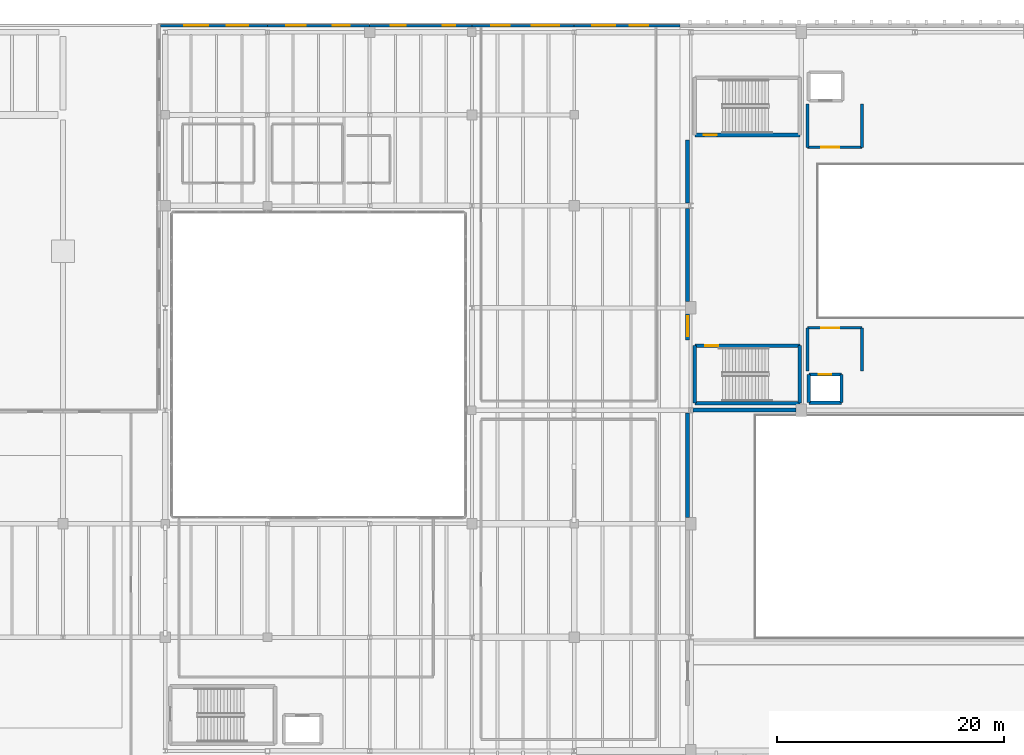
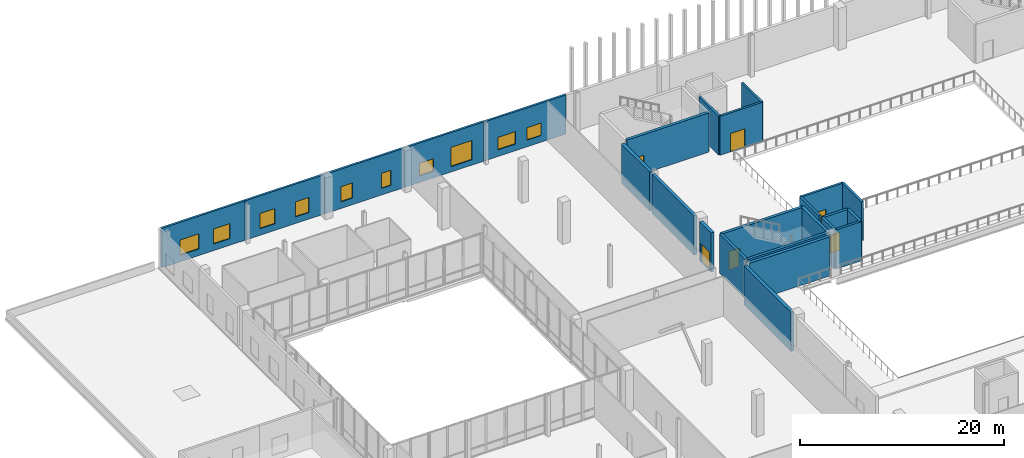
# One storey, part 45 of 60: 25 walls, 10 windows, 6 doors, 16 openings.
"""IFC4 building model written with IfcOpenShell, lengths in metres."""

from ifc_helpers import new_model, si_unit, direction, frame, frame_2d, origin, place, context, subcontext, project, spatial, rectangle, extrude, material, layer, layer_set, type_object, element, fill, save


model = new_model("IFC4")

# Units and contexts
model_context = context("Model", 3, precision=1e-05, world=origin(), true_north=direction((0.0, 1.0)))
body_context = subcontext(model_context, "Body", "Model", "MODEL_VIEW")
ifc_project = project(units=[si_unit("LENGTHUNIT", "METRE"), si_unit("AREAUNIT", "SQUARE_METRE"), si_unit("VOLUMEUNIT", "CUBIC_METRE"), si_unit("PLANEANGLEUNIT", "RADIAN"), si_unit("MASSUNIT", "GRAM", prefix="KILO")], contexts=[model_context])

# Site, building, storey
site_placement = place(None, origin())
site = spatial("IfcSite", under=ifc_project, at=site_placement, CompositionType="ELEMENT")
building_placement = place(site_placement, origin())
building = spatial("IfcBuilding", under=site, at=building_placement, Name="Trimount Lyric Opera House", CompositionType="ELEMENT")
storey_placement = place(building_placement, frame((0.0, 0.0, 15.0)))
storey = spatial("IfcBuildingStorey", under=building, at=storey_placement, Name="L03", CompositionType="ELEMENT", Elevation=15.0)

# Wall
ifc_material_1 = material(Name="Concrete C40/50", Category="concrete")
ifc_layer_1 = layer(ifc_material_1, 0.280029296875)
ifc_layer_set_1 = layer_set([ifc_layer_1], Name="WL-SH280")
wall_type_1 = type_object("IfcWallType", Name="WL-SH280", PredefinedType="SHEAR", material=ifc_layer_set_1)
wall_1_placement = place(storey_placement, frame((74.659912109375, 84.659912109375, 0.0), z_axis=(0.0, 0.0, 1.0), x_axis=(1.0, 0.0, 0.0)))
element("IfcWall", 1, at=wall_1_placement, inside=storey, type_object=wall_type_1, Name="Lift LF-01 L03 south shaft wall", PredefinedType="SHEAR", context=body_context, shape_type="SweptSolid", body=[
    extrude(rectangle(XDim=2.880126953125, YDim=0.280029296875, at=frame_2d((1.43994140625, 0.0))), origin(), (0.0, 0.0, 1.0), 4.675048828125),
])

# Wall, opening, door
wall_2_placement = place(storey_placement, frame((77.5400390625, 87.139892578125, 0.0), z_axis=(0.0, 0.0, 1.0), x_axis=(-1.0, 0.0, 0.0)))
wall_2 = element("IfcWall", 2, at=wall_2_placement, inside=storey, type_object=wall_type_1, Name="Lift LF-01 L03 north shaft wall", PredefinedType="SHEAR", context=body_context, shape_type="SweptSolid", body=[
    extrude(rectangle(XDim=2.880126953125, YDim=0.280029296875, at=frame_2d((1.43994140625, 0.0))), origin(), (0.0, 0.0, 1.0), 4.675048828125),
])
opening_1_placement = place(wall_2_placement, frame((0.889892578125, 0.0, 0.0)))
opening_1 = element("IfcOpeningElement", 3, at=opening_1_placement, cuts=wall_2, Name="Opening DT-LD1", PredefinedType="OPENING", context=body_context, shape_type="SweptSolid", body=[
    extrude(rectangle(XDim=1.10009765625, YDim=2.199951171875, at=frame_2d((0.550048828125, 1.10009765625))), frame((0.0, 0.14990234375, 0.0), z_axis=(0.0, -1.0, 0.0), x_axis=(1.0, 0.0, 0.0)), (0.0, 0.0, 1.0), 0.300048828125),
])
ifc_material_2 = material(Name="Brushed Stainless Steel", Category="steel")
door_type_1 = type_object("IfcDoorType", Name="DT-LD1", OperationType="SLIDING_TO_LEFT", PredefinedType="DOOR", material=ifc_material_2)
door_1_placement = place(opening_1_placement, origin())
door_1 = element("IfcDoor", 4, at=door_1_placement, inside=storey, type_object=door_type_1, Name="D-065", OperationType="SLIDING_TO_LEFT", OverallHeight=2.199951171875, OverallWidth=1.10009765625, PredefinedType="DOOR", context=body_context, shape_type="SweptSolid", body=[
    extrude(rectangle(XDim=1.10009765625, YDim=2.199951171875, at=frame_2d((0.550048828125, 1.10009765625))), frame((0.0, 0.02490234375, 0.0), z_axis=(0.0, -1.0, 0.0), x_axis=(1.0, 0.0, 0.0)), (0.0, 0.0, 1.0), 0.050048828125),
])
fill(opening_1, door_1)

# Walls
for number, where, z_axis, x_axis, name in (
    (5, (74.659912109375, 87.139892578125, 0.0), (0.0, 0.0, 1.0), (0.0, -1.0, 0.0), "Lift LF-01 L03 west shaft wall"),
    (6, (77.5400390625, 84.659912109375, 0.0), (0.0, 0.0, 1.0), (0.0, 1.0, 0.0), "Lift LF-01 L03 east shaft wall"),
):
    element("IfcWall", number, at=place(storey_placement, frame(where, z_axis=z_axis, x_axis=x_axis)), inside=storey, type_object=wall_type_1, Name=name, PredefinedType="SHEAR", context=body_context, shape_type="SweptSolid", body=[
        extrude(rectangle(XDim=2.47998046875, YDim=0.280029296875, at=frame_2d((1.239990234375, 0.0))), origin(), (0.0, 0.0, 1.0), 4.675048828125),
    ])

# Wall, opening, door
ifc_material_3 = material(Name="Concrete C40/50", Category="concrete")
ifc_layer_2 = layer(ifc_material_3, 0.320068359375)
ifc_layer_set_2 = layer_set([ifc_layer_2], Name="WL-SH320")
wall_type_2 = type_object("IfcWallType", Name="WL-SH320", PredefinedType="SHEAR", material=ifc_layer_set_2)
wall_3_placement = place(storey_placement, frame((64.625, 108.22509765625, 0.0), z_axis=(0.0, 0.0, 1.0), x_axis=(1.0, 0.0, 0.0)))
wall_3 = element("IfcWall", 7, at=wall_3_placement, inside=storey, type_object=wall_type_2, Name="K1 L03 south shaft wall", PredefinedType="SHEAR", context=body_context, shape_type="SweptSolid", body=[
    extrude(rectangle(XDim=9.25, YDim=0.320068359375, at=frame_2d((4.625, 0.0))), origin(), (0.0, 0.0, 1.0), 4.675048828125),
])
opening_2_placement = place(wall_3_placement, frame((0.800048828125, 0.0, 0.0)))
opening_2 = element("IfcOpeningElement", 8, at=opening_2_placement, cuts=wall_3, Name="Opening DT-ST1", PredefinedType="OPENING", context=body_context, shape_type="SweptSolid", body=[
    extrude(rectangle(XDim=1.14990234375, YDim=2.199951171875, at=frame_2d((0.574951171875, 1.10009765625))), frame((0.0, 0.169921875, 0.0), z_axis=(0.0, -1.0, 0.0), x_axis=(1.0, 0.0, 0.0)), (0.0, 0.0, 1.0), 0.340087890625),
])
ifc_material_4 = material(Name="Fire-Rated Hollow Steel", Category="steel")
door_type_2 = type_object("IfcDoorType", Name="DT-ST1", OperationType="NOTDEFINED", PredefinedType="DOOR", material=ifc_material_4)
door_2_placement = place(opening_2_placement, origin())
door_2 = element("IfcDoor", 9, at=door_2_placement, inside=storey, type_object=door_type_2, Name="D-011", OperationType="SINGLE_SWING_LEFT", OverallHeight=2.199951171875, OverallWidth=1.14990234375, PredefinedType="DOOR", context=body_context, shape_type="SweptSolid", body=[
    extrude(rectangle(XDim=1.14990234375, YDim=2.199951171875, at=frame_2d((0.574951171875, 1.10009765625))), frame((0.0, 0.02490234375, 0.0), z_axis=(0.0, -1.0, 0.0), x_axis=(1.0, 0.0, 0.0)), (0.0, 0.0, 1.0), 0.050048828125),
])
fill(opening_2, door_2)

# Wall
wall_4_placement = place(storey_placement, frame((64.625, 84.625, 0.0), z_axis=(0.0, 0.0, 1.0), x_axis=(1.0, 0.0, 0.0)))
element("IfcWall", 10, at=wall_4_placement, inside=storey, type_object=wall_type_2, Name="K3 L03 south shaft wall", PredefinedType="SHEAR", context=body_context, shape_type="SweptSolid", body=[
    extrude(rectangle(XDim=9.25, YDim=0.320068359375, at=frame_2d((4.625, 0.0))), origin(), (0.0, 0.0, 1.0), 4.675048828125),
])

# Wall, opening, door
wall_5_placement = place(storey_placement, frame((73.875, 89.675048828125, 0.0), z_axis=(0.0, 0.0, 1.0), x_axis=(-1.0, 0.0, 0.0)))
wall_5 = element("IfcWall", 11, at=wall_5_placement, inside=storey, type_object=wall_type_2, Name="K3 L03 north shaft wall", PredefinedType="SHEAR", context=body_context, shape_type="SweptSolid", body=[
    extrude(rectangle(XDim=9.25, YDim=0.320068359375, at=frame_2d((4.625, 0.0))), origin(), (0.0, 0.0, 1.0), 4.675048828125),
])
opening_3_placement = place(wall_5_placement, frame((7.199951171875, 0.0, 0.0)))
opening_3 = element("IfcOpeningElement", 12, at=opening_3_placement, cuts=wall_5, Name="Opening DT-ST1", PredefinedType="OPENING", context=body_context, shape_type="SweptSolid", body=[
    extrude(rectangle(XDim=1.14990234375, YDim=2.199951171875, at=frame_2d((0.574951171875, 1.10009765625))), frame((0.0, 0.169921875, 0.0), z_axis=(0.0, -1.0, 0.0), x_axis=(1.0, 0.0, 0.0)), (0.0, 0.0, 1.0), 0.340087890625),
])
door_3_placement = place(opening_3_placement, origin())
door_3 = element("IfcDoor", 13, at=door_3_placement, inside=storey, type_object=door_type_2, Name="D-027", OperationType="SINGLE_SWING_LEFT", OverallHeight=2.199951171875, OverallWidth=1.14990234375, PredefinedType="DOOR", context=body_context, shape_type="SweptSolid", body=[
    extrude(rectangle(XDim=1.14990234375, YDim=2.199951171875, at=frame_2d((0.574951171875, 1.10009765625))), frame((0.0, 0.02490234375, 0.0), z_axis=(0.0, -1.0, 0.0), x_axis=(1.0, 0.0, 0.0)), (0.0, 0.0, 1.0), 0.050048828125),
])
fill(opening_3, door_3)

# Walls
for number, where, z_axis, x_axis, name in (
    (14, (64.625, 89.675048828125, 0.0), (0.0, 0.0, 1.0), (0.0, -1.0, 0.0), "K3 L03 west shaft wall"),
    (15, (73.875, 84.625, 0.0), (0.0, 0.0, 1.0), (0.0, 1.0, 0.0), "K3 L03 east shaft wall"),
):
    element("IfcWall", number, at=place(storey_placement, frame(where, z_axis=z_axis, x_axis=x_axis)), inside=storey, type_object=wall_type_2, Name=name, PredefinedType="SHEAR", context=body_context, shape_type="SweptSolid", body=[
        extrude(rectangle(XDim=5.050048828125, YDim=0.320068359375, at=frame_2d((2.52490234375, 0.0))), origin(), (0.0, 0.0, 1.0), 4.675048828125),
    ])
ifc_material_5 = material(Name="Concrete C40/50", Category="concrete")
ifc_layer_3 = layer(ifc_material_5, 0.35009765625)
ifc_layer_set_3 = layer_set([ifc_layer_3], Name="WL-SH350")
wall_type_3 = type_object("IfcWallType", Name="WL-SH350", PredefinedType="SHEAR", material=ifc_layer_set_3)
wall_6_placement = place(storey_placement, frame((64.0, 74.550048828125, 0.0), z_axis=(0.0, 0.0, 1.0), x_axis=(0.0, 1.0, 0.0)))
element("IfcWall", 16, at=wall_6_placement, inside=storey, type_object=wall_type_3, Name="L03 auditorium west acoustic shear wall", PredefinedType="SHEAR", context=body_context, shape_type="SweptSolid", body=[
    extrude(rectangle(XDim=9.217529296875, YDim=0.35009765625, at=frame_2d((4.60888671875, 0.0))), origin(), (0.0, 0.0, 1.0), 4.675048828125),
])

# Wall, opening, door
wall_7_placement = place(storey_placement, frame((64.0, 90.199951171875, 0.0), z_axis=(0.0, 0.0, 1.0), x_axis=(0.0, 1.0, 0.0)))
wall_7 = element("IfcWall", 17, at=wall_7_placement, inside=storey, type_object=wall_type_3, Name="L03 fly-tower west shear wall", PredefinedType="SHEAR", context=body_context, shape_type="SweptSolid", body=[
    extrude(rectangle(XDim=2.25, YDim=0.35009765625, at=frame_2d((1.125, 0.0))), origin(), (0.0, 0.0, 1.0), 4.675048828125),
])
opening_4_placement = place(wall_7_placement, frame((0.300048828125, 0.0, 0.0)))
opening_4 = element("IfcOpeningElement", 18, at=opening_4_placement, cuts=wall_7, Name="Opening DT-COR1", PredefinedType="OPENING", context=body_context, shape_type="SweptSolid", body=[
    extrude(rectangle(XDim=1.75, YDim=2.199951171875, at=frame_2d((0.875, 1.10009765625))), frame((0.0, 0.18505859375, 0.0), z_axis=(0.0, -1.0, 0.0), x_axis=(1.0, 0.0, 0.0)), (0.0, 0.0, 1.0), 0.3701171875),
])
ifc_material_6 = material(Name="Fire-Rated Timber Veneer", Category="wood")
door_type_3 = type_object("IfcDoorType", Name="DT-COR1", OperationType="DOUBLE_DOOR_SINGLE_SWING", PredefinedType="DOOR", material=ifc_material_6)
door_4_placement = place(opening_4_placement, origin())
door_4 = element("IfcDoor", 19, at=door_4_placement, inside=storey, type_object=door_type_3, Name="D-134", OperationType="DOUBLE_DOOR_SINGLE_SWING", OverallHeight=2.199951171875, OverallWidth=1.75, PredefinedType="DOOR", context=body_context, shape_type="SweptSolid", body=[
    extrude(rectangle(XDim=1.75, YDim=2.199951171875, at=frame_2d((0.875, 1.10009765625))), frame((0.0, 0.02490234375, 0.0), z_axis=(0.0, -1.0, 0.0), x_axis=(1.0, 0.0, 0.0)), (0.0, 0.0, 1.0), 0.050048828125),
])
fill(opening_4, door_4)

# Walls
wall_8_placement = place(storey_placement, frame((64.0, 93.550048828125, 0.0), z_axis=(0.0, 0.0, 1.0), x_axis=(0.0, 1.0, 0.0)))
element("IfcWall", 20, at=wall_8_placement, inside=storey, type_object=wall_type_3, Name="L03 fly-tower west shear wall", PredefinedType="SHEAR", context=body_context, shape_type="SweptSolid", body=[
    extrude(rectangle(XDim=8.217529296875, YDim=0.35009765625, at=frame_2d((4.10888671875, 0.0))), origin(), (0.0, 0.0, 1.0), 4.675048828125),
])
wall_9_placement = place(storey_placement, frame((64.0, 102.232421875, 0.0), z_axis=(0.0, 0.0, 1.0), x_axis=(0.0, 1.0, 0.0)))
element("IfcWall", 21, at=wall_9_placement, inside=storey, type_object=wall_type_3, Name="L03 fly-tower west shear wall", PredefinedType="SHEAR", context=body_context, shape_type="SweptSolid", body=[
    extrude(rectangle(XDim=5.567626953125, YDim=0.35009765625, at=frame_2d((2.78369140625, 0.0))), origin(), (0.0, 0.0, 1.0), 4.675048828125),
])
wall_10_placement = place(storey_placement, frame((64.470947265625, 84.0, 0.0), z_axis=(0.0, 0.0, 1.0), x_axis=(1.0, 0.0, 0.0)))
element("IfcWall", 22, at=wall_10_placement, inside=storey, type_object=wall_type_3, Name="L03 proscenium west wing wall", PredefinedType="SHEAR", context=body_context, shape_type="SweptSolid", body=[
    extrude(rectangle(XDim=9.0791015625, YDim=0.35009765625, at=frame_2d((4.53955078125, 0.0))), origin(), (0.0, 0.0, 1.0), 4.675048828125),
])

# Wall, opening, door
ifc_material_7 = material(Name="Concrete C35/45", Category="concrete")
ifc_layer_4 = layer(ifc_material_7, 0.239990234375)
ifc_layer_set_4 = layer_set([ifc_layer_4], Name="WL-SW240")
wall_type_4 = type_object("IfcWallType", Name="WL-SW240", PredefinedType="SOLIDWALL", material=ifc_layer_set_4)
wall_11_placement = place(storey_placement, frame((74.550048828125, 91.25, 0.0), z_axis=(0.0, 0.0, 1.0), x_axis=(1.0, 0.0, 0.0)))
wall_11 = element("IfcWall", 23, at=wall_11_placement, inside=storey, type_object=wall_type_4, Name="L03 firefighting lobby LF-01 entry wall", PredefinedType="SOLIDWALL", context=body_context, shape_type="SweptSolid", body=[
    extrude(rectangle(XDim=4.800048828125, YDim=0.239990234375, at=frame_2d((2.39990234375, 0.0))), origin(), (0.0, 0.0, 1.0), 4.675048828125),
])
opening_5_placement = place(wall_11_placement, frame((1.199951171875, 0.0, 0.0)))
opening_5 = element("IfcOpeningElement", 24, at=opening_5_placement, cuts=wall_11, Name="Opening DT-FF1", PredefinedType="OPENING", context=body_context, shape_type="SweptSolid", body=[
    extrude(rectangle(XDim=1.60009765625, YDim=2.199951171875, at=frame_2d((0.800048828125, 1.10009765625))), frame((0.0, 0.1298828125, 0.0), z_axis=(0.0, -1.0, 0.0), x_axis=(1.0, 0.0, 0.0)), (0.0, 0.0, 1.0), 0.260009765625),
])
ifc_material_8 = material(Name="Fire-Rated Hollow Steel", Category="steel")
door_type_4 = type_object("IfcDoorType", Name="DT-FF1", OperationType="DOUBLE_DOOR_SINGLE_SWING", PredefinedType="DOOR", material=ifc_material_8)
door_5_placement = place(opening_5_placement, origin())
door_5 = element("IfcDoor", 25, at=door_5_placement, inside=storey, type_object=door_type_4, Name="D-066", OperationType="DOUBLE_DOOR_SINGLE_SWING", OverallHeight=2.199951171875, OverallWidth=1.60009765625, PredefinedType="DOOR", context=body_context, shape_type="SweptSolid", body=[
    extrude(rectangle(XDim=1.60009765625, YDim=2.199951171875, at=frame_2d((0.800048828125, 1.10009765625))), frame((0.0, 0.02490234375, 0.0), z_axis=(0.0, -1.0, 0.0), x_axis=(1.0, 0.0, 0.0)), (0.0, 0.0, 1.0), 0.050048828125),
])
fill(opening_5, door_5)

# Walls
for number, where, z_axis, x_axis, name in (
    (26, (74.550048828125, 91.25, 0.0), (0.0, 0.0, 1.0), (0.0, -1.0, 0.0), "L03 firefighting lobby LF-01 west wall"),
    (27, (79.35009765625, 87.449951171875, 0.0), (0.0, 0.0, 1.0), (0.0, 1.0, 0.0), "L03 firefighting lobby LF-01 east wall"),
):
    element("IfcWall", number, at=place(storey_placement, frame(where, z_axis=z_axis, x_axis=x_axis)), inside=storey, type_object=wall_type_4, Name=name, PredefinedType="SOLIDWALL", context=body_context, shape_type="SweptSolid", body=[
        extrude(rectangle(XDim=3.800048828125, YDim=0.239990234375, at=frame_2d((1.89990234375, 0.0))), origin(), (0.0, 0.0, 1.0), 4.675048828125),
    ])

# Wall, opening, door
wall_12_placement = place(storey_placement, frame((74.550048828125, 107.14990234375, 0.0), z_axis=(0.0, 0.0, 1.0), x_axis=(1.0, 0.0, 0.0)))
wall_12 = element("IfcWall", 28, at=wall_12_placement, inside=storey, type_object=wall_type_4, Name="L03 firefighting lobby LF-05 entry wall", PredefinedType="SOLIDWALL", context=body_context, shape_type="SweptSolid", body=[
    extrude(rectangle(XDim=4.800048828125, YDim=0.239990234375, at=frame_2d((2.39990234375, 0.0))), origin(), (0.0, 0.0, 1.0), 4.675048828125),
])
opening_6_placement = place(wall_12_placement, frame((1.199951171875, 0.0, 0.0)))
opening_6 = element("IfcOpeningElement", 29, at=opening_6_placement, cuts=wall_12, Name="Opening DT-FF1", PredefinedType="OPENING", context=body_context, shape_type="SweptSolid", body=[
    extrude(rectangle(XDim=1.60009765625, YDim=2.199951171875, at=frame_2d((0.800048828125, 1.10009765625))), frame((0.0, 0.1298828125, 0.0), z_axis=(0.0, -1.0, 0.0), x_axis=(1.0, 0.0, 0.0)), (0.0, 0.0, 1.0), 0.260009765625),
])
door_6_placement = place(opening_6_placement, origin())
door_6 = element("IfcDoor", 30, at=door_6_placement, inside=storey, type_object=door_type_4, Name="D-100", OperationType="DOUBLE_DOOR_SINGLE_SWING", OverallHeight=2.199951171875, OverallWidth=1.60009765625, PredefinedType="DOOR", context=body_context, shape_type="SweptSolid", body=[
    extrude(rectangle(XDim=1.60009765625, YDim=2.199951171875, at=frame_2d((0.800048828125, 1.10009765625))), frame((0.0, 0.02490234375, 0.0), z_axis=(0.0, -1.0, 0.0), x_axis=(1.0, 0.0, 0.0)), (0.0, 0.0, 1.0), 0.050048828125),
])
fill(opening_6, door_6)

# Walls
for number, where, z_axis, x_axis, name in (
    (31, (74.550048828125, 110.949951171875, 0.0), (0.0, 0.0, 1.0), (0.0, -1.0, 0.0), "L03 firefighting lobby LF-05 west wall"),
    (32, (79.35009765625, 107.14990234375, 0.0), (0.0, 0.0, 1.0), (0.0, 1.0, 0.0), "L03 firefighting lobby LF-05 east wall"),
):
    element("IfcWall", number, at=place(storey_placement, frame(where, z_axis=z_axis, x_axis=x_axis)), inside=storey, type_object=wall_type_4, Name=name, PredefinedType="SOLIDWALL", context=body_context, shape_type="SweptSolid", body=[
        extrude(rectangle(XDim=3.800048828125, YDim=0.239990234375, at=frame_2d((1.89990234375, 0.0))), origin(), (0.0, 0.0, 1.0), 4.675048828125),
    ])

# Wall, openings, windows
wall_13_placement = place(storey_placement, frame((17.5849609375, 117.860107421875, 0.0), z_axis=(0.0, 0.0, 1.0), x_axis=(1.0, 0.0, 0.0)))
wall_13 = element("IfcWall", 33, at=wall_13_placement, inside=storey, type_object=wall_type_4, Name="L03 exterior facade wall 253", PredefinedType="SOLIDWALL", context=body_context, shape_type="SweptSolid", body=[
    extrude(rectangle(XDim=9.4150390625, YDim=0.239990234375, at=frame_2d((4.70751953125, 0.0))), origin(), (0.0, 0.0, 1.0), 4.719970703125),
])
opening_7_placement = place(wall_13_placement, frame((2.086181640625, 0.0, 0.800048828125)))
opening_7 = element("IfcOpeningElement", 34, at=opening_7_placement, cuts=wall_13, Name="Opening WT-17", PredefinedType="OPENING", context=body_context, shape_type="SweptSolid", body=[
    extrude(rectangle(XDim=2.10009765625, YDim=1.800048828125, at=frame_2d((1.050048828125, 0.89990234375))), frame((0.0, 0.1298828125, 0.0), z_axis=(0.0, -1.0, 0.0), x_axis=(1.0, 0.0, 0.0)), (0.0, 0.0, 1.0), 0.260009765625),
])
opening_8_placement = place(wall_13_placement, frame((5.828857421875, 0.0, 0.800048828125)))
opening_8 = element("IfcOpeningElement", 35, at=opening_8_placement, cuts=wall_13, Name="Opening WT-18", PredefinedType="OPENING", context=body_context, shape_type="SweptSolid", body=[
    extrude(rectangle(XDim=1.89990234375, YDim=1.800048828125, at=frame_2d((0.949951171875, 0.89990234375))), frame((0.0, 0.1298828125, 0.0), z_axis=(0.0, -1.0, 0.0), x_axis=(1.0, 0.0, 0.0)), (0.0, 0.0, 1.0), 0.260009765625),
])
ifc_material_9 = material(Name="Dressing Suite Acoustic Window")
window_type_1 = type_object("IfcWindowType", Name="WT-17", PartitioningType="DOUBLE_PANEL_VERTICAL", PredefinedType="WINDOW", material=ifc_material_9)
window_1_placement = place(opening_7_placement, origin())
window_1 = element("IfcWindow", 36, at=window_1_placement, inside=storey, type_object=window_type_1, Name="Window WT-17-0225", OverallHeight=1.800048828125, OverallWidth=2.10009765625, PartitioningType="SINGLE_PANEL", PredefinedType="WINDOW", context=body_context, shape_type="SweptSolid", body=[
    extrude(rectangle(XDim=2.10009765625, YDim=1.800048828125, at=frame_2d((1.050048828125, 0.89990234375))), frame((0.0, 0.030029296875, 0.0), z_axis=(0.0, -1.0, 0.0), x_axis=(1.0, 0.0, 0.0)), (0.0, 0.0, 1.0), 0.06005859375),
])
fill(opening_7, window_1)
ifc_material_10 = material(Name="Dressing Suite Acoustic Window")
window_type_2 = type_object("IfcWindowType", Name="WT-18", PartitioningType="DOUBLE_PANEL_VERTICAL", PredefinedType="WINDOW", material=ifc_material_10)
window_2_placement = place(opening_8_placement, origin())
window_2 = element("IfcWindow", 37, at=window_2_placement, inside=storey, type_object=window_type_2, Name="Window WT-18-0226", OverallHeight=1.800048828125, OverallWidth=1.89990234375, PartitioningType="SINGLE_PANEL", PredefinedType="WINDOW", context=body_context, shape_type="SweptSolid", body=[
    extrude(rectangle(XDim=1.89990234375, YDim=1.800048828125, at=frame_2d((0.949951171875, 0.89990234375))), frame((0.0, 0.030029296875, 0.0), z_axis=(0.0, -1.0, 0.0), x_axis=(1.0, 0.0, 0.0)), (0.0, 0.0, 1.0), 0.06005859375),
])
fill(opening_8, window_2)

wall_14_placement = place(storey_placement, frame((27.0, 117.860107421875, 0.0), z_axis=(0.0, 0.0, 1.0), x_axis=(1.0, 0.0, 0.0)))
wall_14 = element("IfcWall", 38, at=wall_14_placement, inside=storey, type_object=wall_type_4, Name="L03 exterior facade wall 254", PredefinedType="SOLIDWALL", context=body_context, shape_type="SweptSolid", body=[
    extrude(rectangle(XDim=9.0, YDim=0.239990234375, at=frame_2d((4.5, 0.0))), origin(), (0.0, 0.0, 1.0), 4.719970703125),
])
opening_9_placement = place(wall_14_placement, frame((1.669921875, 0.0, 0.800048828125)))
opening_9 = element("IfcOpeningElement", 39, at=opening_9_placement, cuts=wall_14, Name="Opening WT-19", PredefinedType="OPENING", context=body_context, shape_type="SweptSolid", body=[
    extrude(rectangle(XDim=1.699951171875, YDim=1.800048828125, at=frame_2d((0.85009765625, 0.89990234375))), frame((0.0, 0.1298828125, 0.0), z_axis=(0.0, -1.0, 0.0), x_axis=(1.0, 0.0, 0.0)), (0.0, 0.0, 1.0), 0.260009765625),
])
opening_10_placement = place(wall_14_placement, frame((5.72998046875, 0.0, 0.800048828125)))
opening_10 = element("IfcOpeningElement", 40, at=opening_10_placement, cuts=wall_14, Name="Opening WT-20", PredefinedType="OPENING", context=body_context, shape_type="SweptSolid", body=[
    extrude(rectangle(XDim=1.5, YDim=1.800048828125, at=frame_2d((0.75, 0.89990234375))), frame((0.0, 0.1298828125, 0.0), z_axis=(0.0, -1.0, 0.0), x_axis=(1.0, 0.0, 0.0)), (0.0, 0.0, 1.0), 0.260009765625),
])
ifc_material_11 = material(Name="Dressing Suite Acoustic Window")
window_type_3 = type_object("IfcWindowType", Name="WT-19", PartitioningType="SINGLE_PANEL", PredefinedType="WINDOW", material=ifc_material_11)
window_3_placement = place(opening_9_placement, origin())
window_3 = element("IfcWindow", 41, at=window_3_placement, inside=storey, type_object=window_type_3, Name="Window WT-19-0227", OverallHeight=1.800048828125, OverallWidth=1.699951171875, PartitioningType="SINGLE_PANEL", PredefinedType="WINDOW", context=body_context, shape_type="SweptSolid", body=[
    extrude(rectangle(XDim=1.699951171875, YDim=1.800048828125, at=frame_2d((0.85009765625, 0.89990234375))), frame((0.0, 0.030029296875, 0.0), z_axis=(0.0, -1.0, 0.0), x_axis=(1.0, 0.0, 0.0)), (0.0, 0.0, 1.0), 0.06005859375),
])
fill(opening_9, window_3)
ifc_material_12 = material(Name="Dressing Suite Acoustic Window")
window_type_4 = type_object("IfcWindowType", Name="WT-20", PartitioningType="SINGLE_PANEL", PredefinedType="WINDOW", material=ifc_material_12)
window_4_placement = place(opening_10_placement, origin())
window_4 = element("IfcWindow", 42, at=window_4_placement, inside=storey, type_object=window_type_4, Name="Window WT-20-0228", OverallHeight=1.800048828125, OverallWidth=1.5, PartitioningType="SINGLE_PANEL", PredefinedType="WINDOW", context=body_context, shape_type="SweptSolid", body=[
    extrude(rectangle(XDim=1.5, YDim=1.800048828125, at=frame_2d((0.75, 0.89990234375))), frame((0.0, 0.030029296875, 0.0), z_axis=(0.0, -1.0, 0.0), x_axis=(1.0, 0.0, 0.0)), (0.0, 0.0, 1.0), 0.06005859375),
])
fill(opening_10, window_4)

wall_15_placement = place(storey_placement, frame((36.0, 117.860107421875, 0.0), z_axis=(0.0, 0.0, 1.0), x_axis=(1.0, 0.0, 0.0)))
wall_15 = element("IfcWall", 43, at=wall_15_placement, inside=storey, type_object=wall_type_4, Name="L03 exterior facade wall 255", PredefinedType="SOLIDWALL", context=body_context, shape_type="SweptSolid", body=[
    extrude(rectangle(XDim=9.0, YDim=0.239990234375, at=frame_2d((4.5, 0.0))), origin(), (0.0, 0.0, 1.0), 4.719970703125),
])
opening_11_placement = place(wall_15_placement, frame((1.8701171875, 0.0, 0.800048828125)))
opening_11 = element("IfcOpeningElement", 44, at=opening_11_placement, cuts=wall_15, Name="Opening WT-21", PredefinedType="OPENING", context=body_context, shape_type="SweptSolid", body=[
    extrude(rectangle(XDim=1.300048828125, YDim=1.800048828125, at=frame_2d((0.64990234375, 0.89990234375))), frame((0.0, 0.1298828125, 0.0), z_axis=(0.0, -1.0, 0.0), x_axis=(1.0, 0.0, 0.0)), (0.0, 0.0, 1.0), 0.260009765625),
])
opening_12_placement = place(wall_15_placement, frame((6.429931640625, 0.0, 0.800048828125)))
opening_12 = element("IfcOpeningElement", 45, at=opening_12_placement, cuts=wall_15, Name="Opening WT-22", PredefinedType="OPENING", context=body_context, shape_type="SweptSolid", body=[
    extrude(rectangle(XDim=1.10009765625, YDim=1.800048828125, at=frame_2d((0.550048828125, 0.89990234375))), frame((0.0, 0.1298828125, 0.0), z_axis=(0.0, -1.0, 0.0), x_axis=(1.0, 0.0, 0.0)), (0.0, 0.0, 1.0), 0.260009765625),
])
ifc_material_13 = material(Name="Dressing Suite Acoustic Window")
window_type_5 = type_object("IfcWindowType", Name="WT-21", PartitioningType="SINGLE_PANEL", PredefinedType="WINDOW", material=ifc_material_13)
window_5_placement = place(opening_11_placement, origin())
window_5 = element("IfcWindow", 46, at=window_5_placement, inside=storey, type_object=window_type_5, Name="Window WT-21-0229", OverallHeight=1.800048828125, OverallWidth=1.300048828125, PartitioningType="SINGLE_PANEL", PredefinedType="WINDOW", context=body_context, shape_type="SweptSolid", body=[
    extrude(rectangle(XDim=1.300048828125, YDim=1.800048828125, at=frame_2d((0.64990234375, 0.89990234375))), frame((0.0, 0.030029296875, 0.0), z_axis=(0.0, -1.0, 0.0), x_axis=(1.0, 0.0, 0.0)), (0.0, 0.0, 1.0), 0.06005859375),
])
fill(opening_11, window_5)
ifc_material_14 = material(Name="Practice Room Acoustic Window")
window_type_6 = type_object("IfcWindowType", Name="WT-22", PartitioningType="SINGLE_PANEL", PredefinedType="WINDOW", material=ifc_material_14)
window_6_placement = place(opening_12_placement, origin())
window_6 = element("IfcWindow", 47, at=window_6_placement, inside=storey, type_object=window_type_6, Name="Window WT-22-0230", OverallHeight=1.800048828125, OverallWidth=1.10009765625, PartitioningType="SINGLE_PANEL", PredefinedType="WINDOW", context=body_context, shape_type="SweptSolid", body=[
    extrude(rectangle(XDim=1.10009765625, YDim=1.800048828125, at=frame_2d((0.550048828125, 0.89990234375))), frame((0.0, 0.030029296875, 0.0), z_axis=(0.0, -1.0, 0.0), x_axis=(1.0, 0.0, 0.0)), (0.0, 0.0, 1.0), 0.06005859375),
])
fill(opening_12, window_6)

wall_16_placement = place(storey_placement, frame((45.0, 117.860107421875, 0.0), z_axis=(0.0, 0.0, 1.0), x_axis=(1.0, 0.0, 0.0)))
wall_16 = element("IfcWall", 48, at=wall_16_placement, inside=storey, type_object=wall_type_4, Name="L03 exterior facade wall 256", PredefinedType="SOLIDWALL", context=body_context, shape_type="SweptSolid", body=[
    extrude(rectangle(XDim=9.0, YDim=0.239990234375, at=frame_2d((4.5, 0.0))), origin(), (0.0, 0.0, 1.0), 4.719970703125),
])
opening_13_placement = place(wall_16_placement, frame((1.719970703125, 0.0, 0.800048828125)))
opening_13 = element("IfcOpeningElement", 49, at=opening_13_placement, cuts=wall_16, Name="Opening WT-26", PredefinedType="OPENING", context=body_context, shape_type="SweptSolid", body=[
    extrude(rectangle(XDim=1.60009765625, YDim=1.5, at=frame_2d((0.800048828125, 0.75))), frame((0.0, 0.1298828125, 0.0), z_axis=(0.0, -1.0, 0.0), x_axis=(1.0, 0.0, 0.0)), (0.0, 0.0, 1.0), 0.260009765625),
])
opening_14_placement = place(wall_16_placement, frame((5.280029296875, 0.0, 0.64990234375)))
opening_14 = element("IfcOpeningElement", 50, at=opening_14_placement, cuts=wall_16, Name="Opening WT-01", PredefinedType="OPENING", context=body_context, shape_type="SweptSolid", body=[
    extrude(rectangle(XDim=2.39990234375, YDim=2.300048828125, at=frame_2d((1.199951171875, 1.14990234375))), frame((0.0, 0.1298828125, 0.0), z_axis=(0.0, -1.0, 0.0), x_axis=(1.0, 0.0, 0.0)), (0.0, 0.0, 1.0), 0.260009765625),
])
ifc_material_15 = material(Name="Triple Acoustic Glazing in Aluminium Frame", Category="aluminium")
window_type_7 = type_object("IfcWindowType", Name="WT-01", PartitioningType="DOUBLE_PANEL_VERTICAL", PredefinedType="WINDOW", material=ifc_material_15)
window_7_placement = place(opening_14_placement, origin())
window_7 = element("IfcWindow", 51, at=window_7_placement, inside=storey, type_object=window_type_7, Name="Window WT-01-0232", OverallHeight=2.300048828125, OverallWidth=2.39990234375, PartitioningType="SINGLE_PANEL", PredefinedType="WINDOW", context=body_context, shape_type="SweptSolid", body=[
    extrude(rectangle(XDim=2.39990234375, YDim=2.300048828125, at=frame_2d((1.199951171875, 1.14990234375))), frame((0.0, 0.030029296875, 0.0), z_axis=(0.0, -1.0, 0.0), x_axis=(1.0, 0.0, 0.0)), (0.0, 0.0, 1.0), 0.06005859375),
])
fill(opening_14, window_7)
ifc_material_16 = material(Name="Clerestory Ribbon Glazing", Category="glass")
window_type_8 = type_object("IfcWindowType", Name="WT-26", PartitioningType="SINGLE_PANEL", PredefinedType="WINDOW", material=ifc_material_16)
window_8_placement = place(opening_13_placement, origin())
window_8 = element("IfcWindow", 52, at=window_8_placement, inside=storey, type_object=window_type_8, Name="Window WT-26-0231", OverallHeight=1.5, OverallWidth=1.60009765625, PartitioningType="SINGLE_PANEL", PredefinedType="WINDOW", context=body_context, shape_type="SweptSolid", body=[
    extrude(rectangle(XDim=1.60009765625, YDim=1.5, at=frame_2d((0.800048828125, 0.75))), frame((0.0, 0.030029296875, 0.0), z_axis=(0.0, -1.0, 0.0), x_axis=(1.0, 0.0, 0.0)), (0.0, 0.0, 1.0), 0.06005859375),
])
fill(opening_13, window_8)

wall_17_placement = place(storey_placement, frame((54.0, 117.860107421875, 0.0), z_axis=(0.0, 0.0, 1.0), x_axis=(1.0, 0.0, 0.0)))
wall_17 = element("IfcWall", 53, at=wall_17_placement, inside=storey, type_object=wall_type_4, Name="L03 exterior facade wall 257", PredefinedType="SOLIDWALL", context=body_context, shape_type="SweptSolid", body=[
    extrude(rectangle(XDim=9.320068359375, YDim=0.239990234375, at=frame_2d((4.66015625, 0.0))), origin(), (0.0, 0.0, 1.0), 4.675048828125),
])
opening_15_placement = place(wall_17_placement, frame((1.609619140625, 0.0, 0.800048828125)))
opening_15 = element("IfcOpeningElement", 54, at=opening_15_placement, cuts=wall_17, Name="Opening WT-25", PredefinedType="OPENING", context=body_context, shape_type="SweptSolid", body=[
    extrude(rectangle(XDim=2.0, YDim=1.5, at=frame_2d((1.0, 0.75))), frame((0.0, 0.1298828125, 0.0), z_axis=(0.0, -1.0, 0.0), x_axis=(1.0, 0.0, 0.0)), (0.0, 0.0, 1.0), 0.260009765625),
])
opening_16_placement = place(wall_17_placement, frame((4.910400390625, 0.0, 0.800048828125)))
opening_16 = element("IfcOpeningElement", 55, at=opening_16_placement, cuts=wall_17, Name="Opening WT-26", PredefinedType="OPENING", context=body_context, shape_type="SweptSolid", body=[
    extrude(rectangle(XDim=1.60009765625, YDim=1.5, at=frame_2d((0.800048828125, 0.75))), frame((0.0, 0.1298828125, 0.0), z_axis=(0.0, -1.0, 0.0), x_axis=(1.0, 0.0, 0.0)), (0.0, 0.0, 1.0), 0.260009765625),
])
ifc_material_17 = material(Name="Clerestory Ribbon Glazing", Category="glass")
window_type_9 = type_object("IfcWindowType", Name="WT-25", PartitioningType="DOUBLE_PANEL_HORIZONTAL", PredefinedType="WINDOW", material=ifc_material_17)
window_9_placement = place(opening_15_placement, origin())
window_9 = element("IfcWindow", 56, at=window_9_placement, inside=storey, type_object=window_type_9, Name="Window WT-25-0233", OverallHeight=1.5, OverallWidth=2.0, PartitioningType="SINGLE_PANEL", PredefinedType="WINDOW", context=body_context, shape_type="SweptSolid", body=[
    extrude(rectangle(XDim=2.0, YDim=1.5, at=frame_2d((1.0, 0.75))), frame((0.0, 0.030029296875, 0.0), z_axis=(0.0, -1.0, 0.0), x_axis=(1.0, 0.0, 0.0)), (0.0, 0.0, 1.0), 0.06005859375),
])
fill(opening_15, window_9)
window_10_placement = place(opening_16_placement, origin())
window_10 = element("IfcWindow", 57, at=window_10_placement, inside=storey, type_object=window_type_8, Name="Window WT-26-0234", OverallHeight=1.5, OverallWidth=1.60009765625, PartitioningType="SINGLE_PANEL", PredefinedType="WINDOW", context=body_context, shape_type="SweptSolid", body=[
    extrude(rectangle(XDim=1.60009765625, YDim=1.5, at=frame_2d((0.800048828125, 0.75))), frame((0.0, 0.030029296875, 0.0), z_axis=(0.0, -1.0, 0.0), x_axis=(1.0, 0.0, 0.0)), (0.0, 0.0, 1.0), 0.06005859375),
])
fill(opening_16, window_10)

save(model, "model.ifc")
